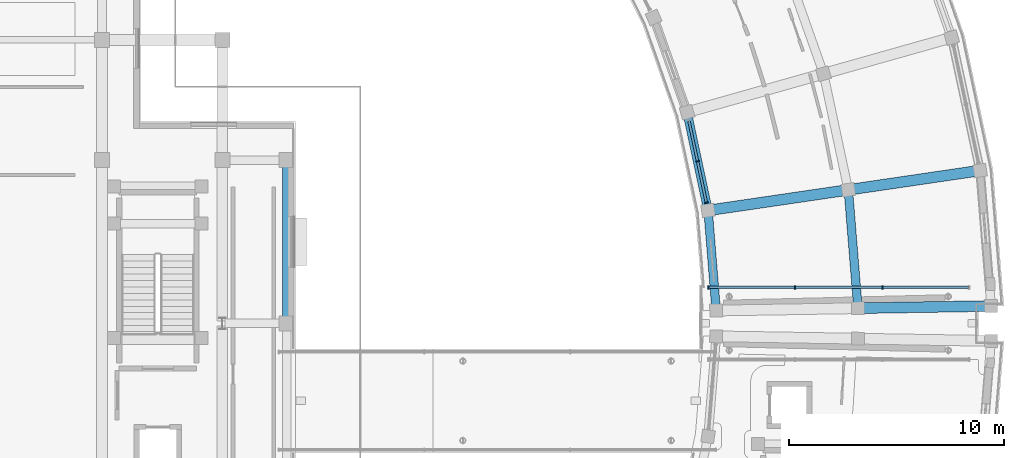
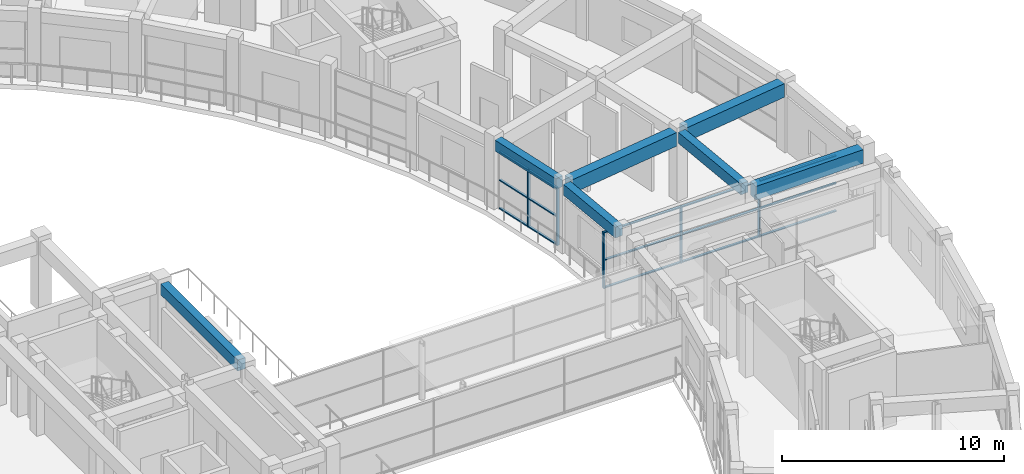
# One storey, part 20 of 53: 20 members, 7 beams, 2 elements without a shape of their own.
"""IFC4 building model written with IfcOpenShell, lengths in metres."""

from ifc_helpers import new_model, si_unit, direction, frame, origin, origin_2d, place, context, subcontext, project, spatial, rectangle, extrude, material, material_profile, profile_set, type_object, element, aggregate, save


model = new_model("IFC4")

# Units and contexts
model_context = context("Model", 3, precision=1e-05, world=origin(), true_north=direction((0.0, 1.0)))
body_context = subcontext(model_context, "Body", "Model", "MODEL_VIEW")
ifc_project = project(units=[si_unit("LENGTHUNIT", "METRE"), si_unit("AREAUNIT", "SQUARE_METRE"), si_unit("VOLUMEUNIT", "CUBIC_METRE"), si_unit("PLANEANGLEUNIT", "RADIAN"), si_unit("MASSUNIT", "GRAM", prefix="KILO")], contexts=[model_context])

# Site, building, storey
site_placement = place(None, origin())
site = spatial("IfcSite", under=ifc_project, at=site_placement, CompositionType="ELEMENT")
building_placement = place(site_placement, origin())
building = spatial("IfcBuilding", under=site, at=building_placement, Name="Saryqyr Civic Hall", CompositionType="ELEMENT")
storey_placement = place(building_placement, frame((0.0, 0.0, 21.300048828125)))
storey = spatial("IfcBuildingStorey", under=building, at=storey_placement, Name="L05", CompositionType="ELEMENT", Elevation=21.300048828125)

# Curtain wall, members
ifc_material_1 = material(Name="Anodised aluminium and triple low-E glass", Category="aluminium")
curtain_wall_type_1 = type_object("IfcCurtainWallType", Name="ENV-CW-STD-21", PredefinedType="NOTDEFINED", material=ifc_material_1)
curtain_wall_1_placement = place(storey_placement, origin())
curtain_wall_1 = element("IfcCurtainWall", 1, at=curtain_wall_1_placement, inside=storey, type_object=curtain_wall_type_1, Name="Curtain wall V6-CWI-L05-01", PredefinedType="NOTDEFINED")
ifc_material_2 = material(Name="Anodised aluminium", Category="aluminium")
ifc_material_profile_1 = material_profile(ifc_material_2, rectangle(XDim=0.06005859375, YDim=0.159912109375, at=origin_2d()), Name="ALU MULLION 60x160")
ifc_profile_set_1 = profile_set([ifc_material_profile_1], Name="Anodised aluminium")
member_type_1 = type_object("IfcMemberType", Name="ENV-CW-MUL-180", PredefinedType="MULLION", material=ifc_profile_set_1)
member_1_placement = place(storey_placement, frame((92.73681640625, 89.62939453125, 0.0), z_axis=(0.0, 0.0, 1.0), x_axis=(-0.208899296688, 0.97793715741, 0.0)))
member_1 = element("IfcMember", 2, at=member_1_placement, type_object=member_type_1, Name="CW-21 mullion 1", PredefinedType="MULLION", context=body_context, shape_type="SweptSolid", body=[
    extrude(rectangle(XDim=0.06005859375, YDim=0.159912109375, at=origin_2d()), origin(), (0.0, 0.0, 1.0), 3.1650390625),
])
member_2_placement = place(storey_placement, frame((92.327392578125, 91.546142578125, 0.0), z_axis=(0.0, 0.0, 1.0), x_axis=(-0.208899296688, 0.97793715741, 0.0)))
member_2 = element("IfcMember", 3, at=member_2_placement, type_object=member_type_1, Name="CW-21 mullion 2", PredefinedType="MULLION", context=body_context, shape_type="SweptSolid", body=[
    extrude(rectangle(XDim=0.06005859375, YDim=0.159912109375, at=origin_2d()), origin(), (0.0, 0.0, 1.0), 3.1650390625),
])

curtain_wall_type_2 = type_object("IfcCurtainWallType", Name="ENV-CW-STD-81", PredefinedType="NOTDEFINED", material=ifc_material_1)
curtain_wall_2_placement = place(storey_placement, origin())
curtain_wall_2 = element("IfcCurtainWall", 4, at=curtain_wall_2_placement, inside=storey, type_object=curtain_wall_type_2, Name="Curtain wall BR-E-CW2-L05", PredefinedType="NOTDEFINED")
member_3_placement = place(storey_placement, frame((92.830078125, 85.679931640625, 0.0), z_axis=(0.0, 0.0, 1.0), x_axis=(1.0, 0.0, 0.0)))
member_3 = element("IfcMember", 5, at=member_3_placement, type_object=member_type_1, Name="CW-81 mullion 1", PredefinedType="MULLION", context=body_context, shape_type="SweptSolid", body=[
    extrude(rectangle(XDim=0.06005859375, YDim=0.159912109375, at=origin_2d()), origin(), (0.0, 0.0, 1.0), 3.099853515625),
])
member_4_placement = place(storey_placement, frame((96.86669921875, 85.679931640625, 0.0), z_axis=(0.0, 0.0, 1.0), x_axis=(1.0, 0.0, 0.0)))
member_4 = element("IfcMember", 6, at=member_4_placement, type_object=member_type_1, Name="CW-81 mullion 2", PredefinedType="MULLION", context=body_context, shape_type="SweptSolid", body=[
    extrude(rectangle(XDim=0.06005859375, YDim=0.159912109375, at=origin_2d()), origin(), (0.0, 0.0, 1.0), 3.099853515625),
])
member_5_placement = place(storey_placement, frame((100.933349609375, 85.679931640625, 0.0), z_axis=(0.0, 0.0, 1.0), x_axis=(1.0, 0.0, 0.0)))
member_5 = element("IfcMember", 7, at=member_5_placement, type_object=member_type_1, Name="CW-81 mullion 3", PredefinedType="MULLION", context=body_context, shape_type="SweptSolid", body=[
    extrude(rectangle(XDim=0.06005859375, YDim=0.159912109375, at=origin_2d()), origin(), (0.0, 0.0, 1.0), 3.099853515625),
])

# Member
ifc_material_profile_2 = material_profile(ifc_material_2, rectangle(XDim=0.1201171875, YDim=0.06005859375, at=origin_2d()), Name="ALU TRANSOM 120x60")
ifc_profile_set_2 = profile_set([ifc_material_profile_2], Name="Anodised aluminium")
member_type_2 = type_object("IfcMemberType", Name="ENV-CW-TRN-150", PredefinedType="USERDEFINED", material=ifc_profile_set_2)
member_6_placement = place(storey_placement, frame((92.730712890625, 89.65869140625, 0.030029296875), z_axis=(-0.208923581967, 0.977931969463, 0.0), x_axis=(-0.977931969463, -0.208923581967, 0.0)))
member_6 = element("IfcMember", 8, at=member_6_placement, type_object=member_type_2, Name="CW-21 transom 1.1", ObjectType="TRANSOM", PredefinedType="USERDEFINED", context=body_context, shape_type="SweptSolid", body=[
    extrude(rectangle(XDim=0.1201171875, YDim=0.06005859375, at=origin_2d()), origin(), (0.0, 0.0, 1.0), 1.900146484375),
])

member_7_placement = place(storey_placement, frame((92.730712890625, 89.65869140625, 1.5830078125), z_axis=(-0.208923581967, 0.977931969463, 0.0), x_axis=(-0.977931969463, -0.208923581967, 0.0)))
member_7 = element("IfcMember", 9, at=member_7_placement, type_object=member_type_2, Name="CW-21 transom 1.2", ObjectType="TRANSOM", PredefinedType="USERDEFINED", context=body_context, shape_type="SweptSolid", body=[
    extrude(rectangle(XDim=0.1201171875, YDim=0.06005859375, at=origin_2d()), origin(), (0.0, 0.0, 1.0), 1.900146484375),
])

member_8_placement = place(storey_placement, frame((92.730712890625, 89.65869140625, 3.135009765625), z_axis=(-0.208923581967, 0.977931969463, 0.0), x_axis=(-0.977931969463, -0.208923581967, 0.0)))
member_8 = element("IfcMember", 10, at=member_8_placement, type_object=member_type_2, Name="CW-21 transom 1.3", ObjectType="TRANSOM", PredefinedType="USERDEFINED", context=body_context, shape_type="SweptSolid", body=[
    extrude(rectangle(XDim=0.1201171875, YDim=0.06005859375, at=origin_2d()), origin(), (0.0, 0.0, 1.0), 1.900146484375),
])

member_9_placement = place(storey_placement, frame((92.3212890625, 91.575439453125, 0.030029296875), z_axis=(-0.208923581967, 0.977931969463, 0.0), x_axis=(-0.977931969463, -0.208923581967, 0.0)))
member_9 = element("IfcMember", 11, at=member_9_placement, type_object=member_type_2, Name="CW-21 transom 2.1", ObjectType="TRANSOM", PredefinedType="USERDEFINED", context=body_context, shape_type="SweptSolid", body=[
    extrude(rectangle(XDim=0.1201171875, YDim=0.06005859375, at=origin_2d()), origin(), (0.0, 0.0, 1.0), 1.900146484375),
])

member_10_placement = place(storey_placement, frame((92.3212890625, 91.575439453125, 1.5830078125), z_axis=(-0.208923581967, 0.977931969463, 0.0), x_axis=(-0.977931969463, -0.208923581967, 0.0)))
member_10 = element("IfcMember", 12, at=member_10_placement, type_object=member_type_2, Name="CW-21 transom 2.2", ObjectType="TRANSOM", PredefinedType="USERDEFINED", context=body_context, shape_type="SweptSolid", body=[
    extrude(rectangle(XDim=0.1201171875, YDim=0.06005859375, at=origin_2d()), origin(), (0.0, 0.0, 1.0), 1.900146484375),
])

member_11_placement = place(storey_placement, frame((92.3212890625, 91.575439453125, 3.135009765625), z_axis=(-0.208923581967, 0.977931969463, 0.0), x_axis=(-0.977931969463, -0.208923581967, 0.0)))
member_11 = element("IfcMember", 13, at=member_11_placement, type_object=member_type_2, Name="CW-21 transom 2.3", ObjectType="TRANSOM", PredefinedType="USERDEFINED", context=body_context, shape_type="SweptSolid", body=[
    extrude(rectangle(XDim=0.1201171875, YDim=0.06005859375, at=origin_2d()), origin(), (0.0, 0.0, 1.0), 1.900146484375),
])

aggregate(curtain_wall_1, [member_1, member_2, member_6, member_7, member_8, member_9, member_10, member_11])

member_12_placement = place(storey_placement, frame((92.860107421875, 85.679931640625, 0.030029296875), z_axis=(1.0, 0.0, 0.0), x_axis=(0.0, 1.0, 0.0)))
member_12 = element("IfcMember", 14, at=member_12_placement, type_object=member_type_2, Name="CW-81 transom 1.1", ObjectType="TRANSOM", PredefinedType="USERDEFINED", context=body_context, shape_type="SweptSolid", body=[
    extrude(rectangle(XDim=0.1201171875, YDim=0.06005859375, at=origin_2d()), origin(), (0.0, 0.0, 1.0), 3.9765625),
])

member_13_placement = place(storey_placement, frame((92.860107421875, 85.679931640625, 1.550048828125), z_axis=(1.0, 0.0, 0.0), x_axis=(0.0, 1.0, 0.0)))
member_13 = element("IfcMember", 15, at=member_13_placement, type_object=member_type_2, Name="CW-81 transom 1.2", ObjectType="TRANSOM", PredefinedType="USERDEFINED", context=body_context, shape_type="SweptSolid", body=[
    extrude(rectangle(XDim=0.1201171875, YDim=0.06005859375, at=origin_2d()), origin(), (0.0, 0.0, 1.0), 3.9765625),
])

member_14_placement = place(storey_placement, frame((92.860107421875, 85.679931640625, 3.070068359375), z_axis=(1.0, 0.0, 0.0), x_axis=(0.0, 1.0, 0.0)))
member_14 = element("IfcMember", 16, at=member_14_placement, type_object=member_type_2, Name="CW-81 transom 1.3", ObjectType="TRANSOM", PredefinedType="USERDEFINED", context=body_context, shape_type="SweptSolid", body=[
    extrude(rectangle(XDim=0.1201171875, YDim=0.06005859375, at=origin_2d()), origin(), (0.0, 0.0, 1.0), 3.9765625),
])

member_15_placement = place(storey_placement, frame((96.896728515625, 85.679931640625, 0.030029296875), z_axis=(1.0, 0.0, 0.0), x_axis=(0.0, 1.0, 0.0)))
member_15 = element("IfcMember", 17, at=member_15_placement, type_object=member_type_2, Name="CW-81 transom 2.1", ObjectType="TRANSOM", PredefinedType="USERDEFINED", context=body_context, shape_type="SweptSolid", body=[
    extrude(rectangle(XDim=0.1201171875, YDim=0.06005859375, at=origin_2d()), origin(), (0.0, 0.0, 1.0), 4.006591796875),
])

member_16_placement = place(storey_placement, frame((96.896728515625, 85.679931640625, 1.550048828125), z_axis=(1.0, 0.0, 0.0), x_axis=(0.0, 1.0, 0.0)))
member_16 = element("IfcMember", 18, at=member_16_placement, type_object=member_type_2, Name="CW-81 transom 2.2", ObjectType="TRANSOM", PredefinedType="USERDEFINED", context=body_context, shape_type="SweptSolid", body=[
    extrude(rectangle(XDim=0.1201171875, YDim=0.06005859375, at=origin_2d()), origin(), (0.0, 0.0, 1.0), 4.006591796875),
])

member_17_placement = place(storey_placement, frame((96.896728515625, 85.679931640625, 3.070068359375), z_axis=(1.0, 0.0, 0.0), x_axis=(0.0, 1.0, 0.0)))
member_17 = element("IfcMember", 19, at=member_17_placement, type_object=member_type_2, Name="CW-81 transom 2.3", ObjectType="TRANSOM", PredefinedType="USERDEFINED", context=body_context, shape_type="SweptSolid", body=[
    extrude(rectangle(XDim=0.1201171875, YDim=0.06005859375, at=origin_2d()), origin(), (0.0, 0.0, 1.0), 4.006591796875),
])

member_18_placement = place(storey_placement, frame((100.96337890625, 85.679931640625, 0.030029296875), z_axis=(1.0, 0.0, 0.0), x_axis=(0.0, 1.0, 0.0)))
member_18 = element("IfcMember", 20, at=member_18_placement, type_object=member_type_2, Name="CW-81 transom 3.1", ObjectType="TRANSOM", PredefinedType="USERDEFINED", context=body_context, shape_type="SweptSolid", body=[
    extrude(rectangle(XDim=0.1201171875, YDim=0.06005859375, at=origin_2d()), origin(), (0.0, 0.0, 1.0), 3.9765625),
])

member_19_placement = place(storey_placement, frame((100.96337890625, 85.679931640625, 1.550048828125), z_axis=(1.0, 0.0, 0.0), x_axis=(0.0, 1.0, 0.0)))
member_19 = element("IfcMember", 21, at=member_19_placement, type_object=member_type_2, Name="CW-81 transom 3.2", ObjectType="TRANSOM", PredefinedType="USERDEFINED", context=body_context, shape_type="SweptSolid", body=[
    extrude(rectangle(XDim=0.1201171875, YDim=0.06005859375, at=origin_2d()), origin(), (0.0, 0.0, 1.0), 3.9765625),
])

member_20_placement = place(storey_placement, frame((100.96337890625, 85.679931640625, 3.070068359375), z_axis=(1.0, 0.0, 0.0), x_axis=(0.0, 1.0, 0.0)))
member_20 = element("IfcMember", 22, at=member_20_placement, type_object=member_type_2, Name="CW-81 transom 3.3", ObjectType="TRANSOM", PredefinedType="USERDEFINED", context=body_context, shape_type="SweptSolid", body=[
    extrude(rectangle(XDim=0.1201171875, YDim=0.06005859375, at=origin_2d()), origin(), (0.0, 0.0, 1.0), 3.9765625),
])

aggregate(curtain_wall_2, [member_3, member_4, member_5, member_12, member_13, member_14, member_15, member_16, member_17, member_18, member_19, member_20])

# Beams
ifc_material_3 = material(Name="Concrete C35/45", Category="concrete")
ifc_material_profile_3 = material_profile(ifc_material_3, rectangle(XDim=0.39990234375, YDim=0.60009765625, at=origin_2d()), Name="RC 400x600")
ifc_profile_set_3 = profile_set([ifc_material_profile_3], Name="Concrete C35/45")
beam_type_1 = type_object("IfcBeamType", Name="STR-BM-RC400x600", PredefinedType="BEAM", material=ifc_profile_set_3)
beam_1_placement = place(storey_placement, frame((73.199951171875, 84.324951171875, 3.489990234375), z_axis=(0.0, 1.0, 0.0), x_axis=(-1.0, 0.0, 0.0)))
element("IfcBeam", 23, at=beam_1_placement, inside=storey, type_object=beam_type_1, Name="Beam V1-TBM-14-L05", PredefinedType="BEAM", context=body_context, shape_type="SweptSolid", body=[
    extrude(rectangle(XDim=0.39990234375, YDim=0.60009765625, at=origin_2d()), origin(), (0.0, 0.0, 1.0), 6.949951171875),
])
beam_2_placement = place(storey_placement, frame((99.771728515625, 84.983642578125, 3.489990234375), z_axis=(-0.081072662347, 0.996708193716, 0.0), x_axis=(-0.996708193716, -0.081072662347, 0.0)))
element("IfcBeam", 24, at=beam_2_placement, inside=storey, type_object=beam_type_1, Name="Beam V6-CBM-MID00-L05", PredefinedType="BEAM", context=body_context, shape_type="SweptSolid", body=[
    extrude(rectangle(XDim=0.39990234375, YDim=0.60009765625, at=origin_2d()), origin(), (0.0, 0.0, 1.0), 4.977783203125),
])
ifc_material_profile_4 = material_profile(ifc_material_3, rectangle(XDim=0.39990234375, YDim=0.60009765625, at=origin_2d()), Name="RC 400x600")
ifc_profile_set_4 = profile_set([ifc_material_profile_4], Name="Concrete C35/45")
beam_type_2 = type_object("IfcBeamType", Name="STR-BM-RC400x600-EXT", PredefinedType="BEAM", material=ifc_profile_set_4)
beam_3_placement = place(storey_placement, frame((93.172607421875, 84.874267578125, 3.489990234375), z_axis=(-0.081076463708, 0.996707884504, 0.0), x_axis=(-0.996707884504, -0.081076463708, 0.0)))
element("IfcBeam", 25, at=beam_3_placement, inside=storey, type_object=beam_type_2, Name="Beam V6-CBM-IN00-L05", PredefinedType="BEAM", context=body_context, shape_type="SweptSolid", body=[
    extrude(rectangle(XDim=0.39990234375, YDim=0.60009765625, at=origin_2d()), origin(), (0.0, 0.0, 1.0), 4.12548828125),
])
beam_4_placement = place(storey_placement, frame((92.75830078125, 89.529052734375, 3.489990234375), z_axis=(-0.208914702751, 0.97793386636, 0.0), x_axis=(-0.97793386636, -0.208914702751, 0.0)))
element("IfcBeam", 26, at=beam_4_placement, inside=storey, type_object=beam_type_2, Name="Beam V6-CBM-IN01-L05", PredefinedType="BEAM", context=body_context, shape_type="SweptSolid", body=[
    extrude(rectangle(XDim=0.39990234375, YDim=0.60009765625, at=origin_2d()), origin(), (0.0, 0.0, 1.0), 4.125244140625),
])
ifc_material_4 = material(Name="Concrete C40/50", Category="concrete")
ifc_material_profile_5 = material_profile(ifc_material_4, rectangle(XDim=0.5, YDim=0.75, at=origin_2d()), Name="RC 500x750")
ifc_profile_set_5 = profile_set([ifc_material_profile_5], Name="Concrete C40/50")
beam_type_3 = type_object("IfcBeamType", Name="STR-BM-RC500x750", PredefinedType="BEAM", material=ifc_profile_set_5)
beam_5_placement = place(storey_placement, frame((100.069091796875, 84.714111328125, 3.4150390625), z_axis=(0.999862325475, 0.016593073728, 0.0), x_axis=(-0.016593073728, 0.999862325475, 0.0)))
element("IfcBeam", 27, at=beam_5_placement, inside=storey, type_object=beam_type_3, Name="Beam V6-RBM-B00-L05", PredefinedType="BEAM", context=body_context, shape_type="SweptSolid", body=[
    extrude(rectangle(XDim=0.5, YDim=0.75, at=origin_2d()), origin(), (0.0, 0.0, 1.0), 5.64990234375),
])
beam_6_placement = place(storey_placement, frame((93.087890625, 89.300048828125, 3.4150390625), z_axis=(0.989385770491, 0.145312756323, 0.0), x_axis=(-0.145312756323, 0.989385770491, 0.0)))
element("IfcBeam", 28, at=beam_6_placement, inside=storey, type_object=beam_type_3, Name="Beam V6-RBM-A01-L05", PredefinedType="BEAM", context=body_context, shape_type="SweptSolid", body=[
    extrude(rectangle(XDim=0.5, YDim=0.75, at=origin_2d()), origin(), (0.0, 0.0, 1.0), 6.050048828125),
])
beam_7_placement = place(storey_placement, frame((99.617919921875, 90.259033203125, 3.4150390625), z_axis=(0.989385279689, 0.145316097986, 0.0), x_axis=(-0.145316097986, 0.989385279689, 0.0)))
element("IfcBeam", 29, at=beam_7_placement, inside=storey, type_object=beam_type_3, Name="Beam V6-RBM-B01-L05", PredefinedType="BEAM", context=body_context, shape_type="SweptSolid", body=[
    extrude(rectangle(XDim=0.5, YDim=0.75, at=origin_2d()), origin(), (0.0, 0.0, 1.0), 5.650146484375),
])

save(model, "model.ifc")
